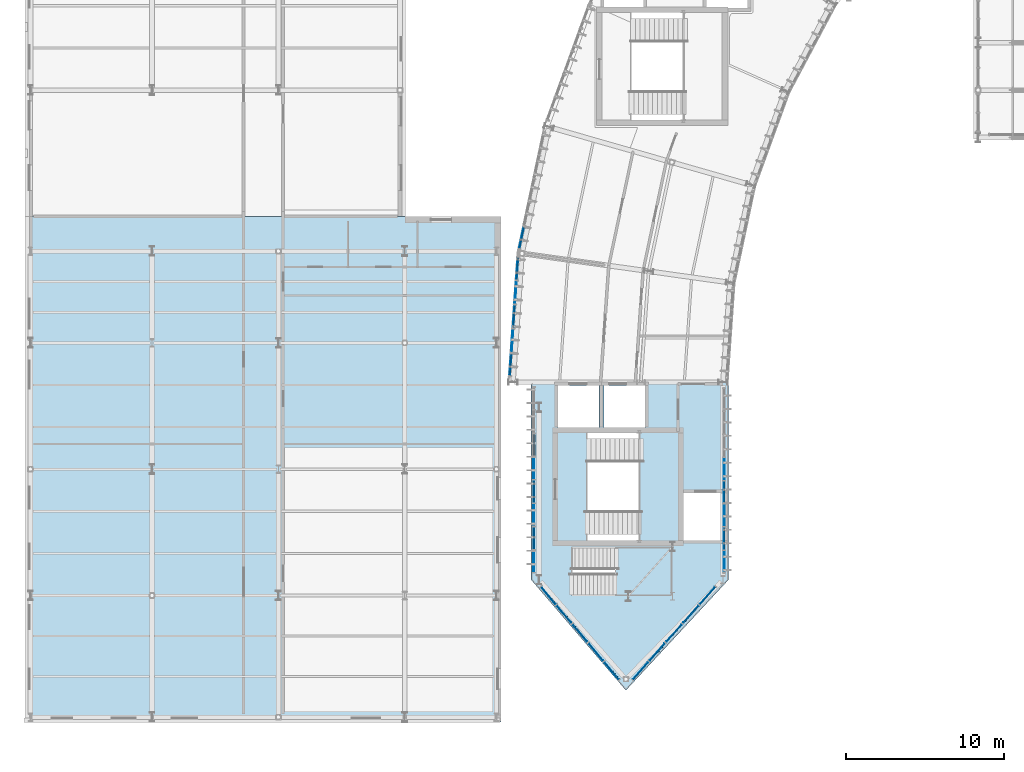
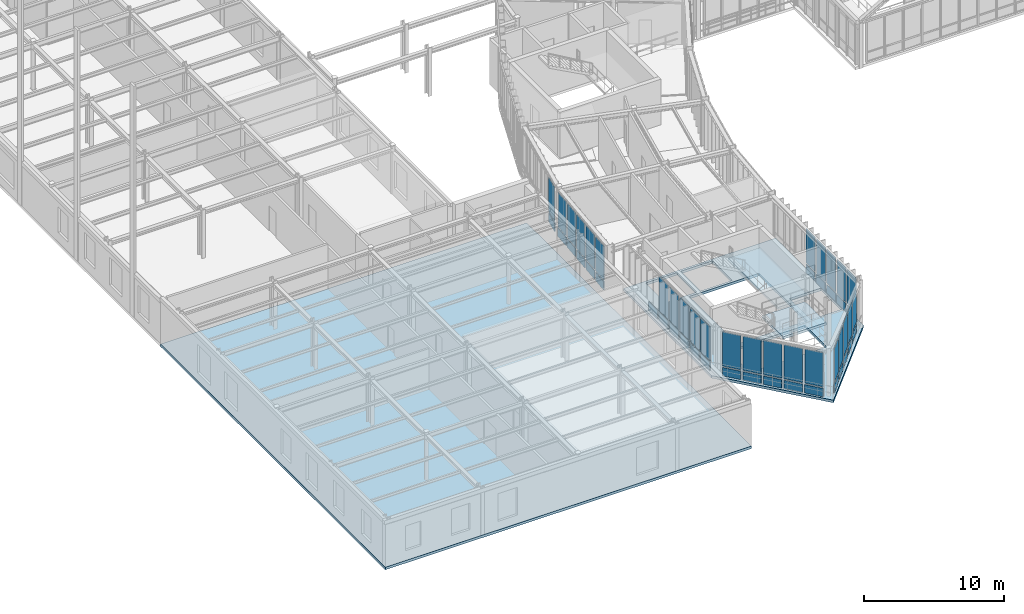
# One storey, part 93 of 148: 53 plates, 4 slabs, 8 elements without a shape of their own.
"""IFC4 building model written with IfcOpenShell, lengths in metres."""

from ifc_helpers import new_model, si_unit, direction, frame, origin, origin_2d, place, context, subcontext, project, spatial, polyline, rectangle, outline, extrude, material, layer, layer_set, type_object, element, aggregate, save


model = new_model("IFC4")

# Units and contexts
model_context = context("Model", 3, precision=1e-05, world=origin(), true_north=direction((0.0, 1.0)))
body_context = subcontext(model_context, "Body", "Model", "MODEL_VIEW")
ifc_project = project(units=[si_unit("LENGTHUNIT", "METRE"), si_unit("AREAUNIT", "SQUARE_METRE"), si_unit("VOLUMEUNIT", "CUBIC_METRE"), si_unit("PLANEANGLEUNIT", "RADIAN"), si_unit("MASSUNIT", "GRAM", prefix="KILO"), si_unit("THERMODYNAMICTEMPERATUREUNIT", "KELVIN"), si_unit("POWERUNIT", "WATT")], contexts=[model_context])

# Site, building, storey
site_placement = place(None, origin())
site = spatial("IfcSite", under=ifc_project, at=site_placement, CompositionType="ELEMENT")
building_placement = place(site_placement, origin())
building = spatial("IfcBuilding", under=site, at=building_placement, Name="Solvatero Civic Police Headquarters", CompositionType="ELEMENT")
storey_placement = place(building_placement, frame((0.0, 0.0, 5.10009765625)))
storey = spatial("IfcBuildingStorey", under=building, at=storey_placement, Name="L01", CompositionType="ELEMENT", Elevation=5.10009765625)

# Curtain wall, plates
ifc_material_1 = material(Name="Anodized Bronze Aluminium", Category="aluminium")
ifc_layer_1 = layer(ifc_material_1, 0.179931640625)
ifc_layer_set_1 = layer_set([ifc_layer_1], Name="Anodized Bronze Aluminium")
curtain_wall_type_1 = type_object("IfcCurtainWallType", Name="CW-ARC-OUT", PredefinedType="USERDEFINED", material=ifc_layer_set_1)
curtain_wall_1_placement = place(storey_placement, origin())
curtain_wall_1 = element("IfcCurtainWall", 1, at=curtain_wall_1_placement, inside=storey, type_object=curtain_wall_type_1, Name="Curtain Wall CW-R2-L01-ARC-OUT-B12", ObjectType="UNITISED", PredefinedType="USERDEFINED")
ifc_material_2 = material(Name="Triple Low-E Laminated Glass", Category="glass")
ifc_layer_2 = layer(ifc_material_2, 0.0380859375)
ifc_layer_set_2 = layer_set([ifc_layer_2], Name="Triple Low-E Laminated Glass")
plate_type_1 = type_object("IfcPlateType", Name="CWP-GLZ-38", PredefinedType="CURTAIN_PANEL", material=ifc_layer_set_2)
plate_1_placement = place(storey_placement, frame((35.517822265625, 31.6904296875, 0.91015625), z_axis=(0.0, 0.0, 1.0), x_axis=(-0.069756473744, -0.99756405026, 0.0)))
plate_1 = element("IfcPlate", 2, at=plate_1_placement, type_object=plate_type_1, Name="CW-R2-L01-ARC-OUT-B12 Vision Glazing 2", PredefinedType="CURTAIN_PANEL", context=body_context, shape_type="SweptSolid", body=[
    extrude(rectangle(XDim=1.34814453125, YDim=0.0380859375, at=origin_2d()), origin(), (0.0, 0.0, 1.0), 2.969970703125),
])
plate_2_placement = place(storey_placement, frame((35.3046875, 28.6416015625, 0.91015625), z_axis=(0.0, 0.0, 1.0), x_axis=(-0.069756473744, -0.99756405026, 0.0)))
plate_2 = element("IfcPlate", 3, at=plate_2_placement, type_object=plate_type_1, Name="CW-R2-L01-ARC-OUT-B12 Vision Glazing 4", PredefinedType="CURTAIN_PANEL", context=body_context, shape_type="SweptSolid", body=[
    extrude(rectangle(XDim=1.34814453125, YDim=0.0380859375, at=origin_2d()), origin(), (0.0, 0.0, 1.0), 2.969970703125),
])

ifc_layer_3 = layer(ifc_material_1, 0.179931640625)
ifc_layer_set_3 = layer_set([ifc_layer_3], Name="Anodized Bronze Aluminium")
curtain_wall_type_2 = type_object("IfcCurtainWallType", Name="CW-PROW-GLZ", PredefinedType="USERDEFINED", material=ifc_layer_set_3)
curtain_wall_2_placement = place(storey_placement, origin())
curtain_wall_2 = element("IfcCurtainWall", 4, at=curtain_wall_2_placement, inside=storey, type_object=curtain_wall_type_2, Name="Curtain Wall CW-R2-L01-PROW-W", ObjectType="UNITISED", PredefinedType="USERDEFINED")
plate_3_placement = place(storey_placement, frame((36.679931640625, 20.564453125, 0.91015625), z_axis=(0.0, 0.0, 1.0), x_axis=(0.0, -1.0, 0.0)))
plate_3 = element("IfcPlate", 5, at=plate_3_placement, type_object=plate_type_1, Name="CW-R2-L01-PROW-W Vision Glazing 4", PredefinedType="CURTAIN_PANEL", context=body_context, shape_type="SweptSolid", body=[
    extrude(rectangle(XDim=1.298828125, YDim=0.0380859375, at=origin_2d()), origin(), (0.0, 0.0, 1.0), 2.969970703125),
])
plate_4_placement = place(storey_placement, frame((36.679931640625, 17.60693359375, 0.91015625), z_axis=(0.0, 0.0, 1.0), x_axis=(0.0, -1.0, 0.0)))
plate_4 = element("IfcPlate", 6, at=plate_4_placement, type_object=plate_type_1, Name="CW-R2-L01-PROW-W Vision Glazing 6", PredefinedType="CURTAIN_PANEL", context=body_context, shape_type="SweptSolid", body=[
    extrude(rectangle(XDim=1.298828125, YDim=0.0380859375, at=origin_2d()), origin(), (0.0, 0.0, 1.0), 2.969970703125),
])
plate_5_placement = place(storey_placement, frame((36.679931640625, 14.6494140625, 0.91015625), z_axis=(0.0, 0.0, 1.0), x_axis=(0.0, -1.0, 0.0)))
plate_5 = element("IfcPlate", 7, at=plate_5_placement, type_object=plate_type_1, Name="CW-R2-L01-PROW-W Vision Glazing 8", PredefinedType="CURTAIN_PANEL", context=body_context, shape_type="SweptSolid", body=[
    extrude(rectangle(XDim=1.298828125, YDim=0.0380859375, at=origin_2d()), origin(), (0.0, 0.0, 1.0), 2.969970703125),
])

curtain_wall_3_placement = place(storey_placement, origin())
curtain_wall_3 = element("IfcCurtainWall", 8, at=curtain_wall_3_placement, inside=storey, type_object=curtain_wall_type_2, Name="Curtain Wall CW-R2-L01-PROW-E", ObjectType="UNITISED", PredefinedType="USERDEFINED")
plate_6_placement = place(storey_placement, frame((48.719970703125, 14.643798828125, 0.91015625), z_axis=(0.0, 0.0, 1.0), x_axis=(0.0, 1.0, 0.0)))
plate_6 = element("IfcPlate", 9, at=plate_6_placement, type_object=plate_type_1, Name="CW-R2-L01-PROW-E Vision Glazing 1", PredefinedType="CURTAIN_PANEL", context=body_context, shape_type="SweptSolid", body=[
    extrude(rectangle(XDim=1.28759765625, YDim=0.0380859375, at=origin_2d()), origin(), (0.0, 0.0, 1.0), 2.969970703125),
])
plate_7_placement = place(storey_placement, frame((48.719970703125, 17.57861328125, 0.91015625), z_axis=(0.0, 0.0, 1.0), x_axis=(0.0, 1.0, 0.0)))
plate_7 = element("IfcPlate", 10, at=plate_7_placement, type_object=plate_type_1, Name="CW-R2-L01-PROW-E Vision Glazing 3", PredefinedType="CURTAIN_PANEL", context=body_context, shape_type="SweptSolid", body=[
    extrude(rectangle(XDim=1.28759765625, YDim=0.0380859375, at=origin_2d()), origin(), (0.0, 0.0, 1.0), 2.969970703125),
])
plate_8_placement = place(storey_placement, frame((48.719970703125, 20.513671875, 0.91015625), z_axis=(0.0, 0.0, 1.0), x_axis=(0.0, 1.0, 0.0)))
plate_8 = element("IfcPlate", 11, at=plate_8_placement, type_object=plate_type_1, Name="CW-R2-L01-PROW-E Vision Glazing 5", PredefinedType="CURTAIN_PANEL", context=body_context, shape_type="SweptSolid", body=[
    extrude(rectangle(XDim=1.28759765625, YDim=0.0380859375, at=origin_2d()), origin(), (0.0, 0.0, 1.0), 2.969970703125),
])

curtain_wall_4_placement = place(storey_placement, origin())
curtain_wall_4 = element("IfcCurtainWall", 12, at=curtain_wall_4_placement, inside=storey, type_object=curtain_wall_type_2, Name="Curtain Wall CW-R2-L01-PROW-SW", ObjectType="UNITISED", PredefinedType="USERDEFINED")
plate_9_placement = place(storey_placement, frame((38.59375, 11.312744140625, 0.91015625), z_axis=(0.0, 0.0, 1.0), x_axis=(0.643282165541, -0.765629189293, 0.0)))
plate_9 = element("IfcPlate", 13, at=plate_9_placement, type_object=plate_type_1, Name="CW-R2-L01-PROW-SW Vision Glazing 2", PredefinedType="CURTAIN_PANEL", context=body_context, shape_type="SweptSolid", body=[
    extrude(rectangle(XDim=1.3798828125, YDim=0.0380859375, at=origin_2d()), origin(), (0.0, 0.0, 1.0), 2.969970703125),
])
plate_10_placement = place(storey_placement, frame((40.6005859375, 8.924072265625, 0.91015625), z_axis=(0.0, 0.0, 1.0), x_axis=(0.643282165541, -0.765629189293, 0.0)))
plate_10 = element("IfcPlate", 14, at=plate_10_placement, type_object=plate_type_1, Name="CW-R2-L01-PROW-SW Vision Glazing 4", PredefinedType="CURTAIN_PANEL", context=body_context, shape_type="SweptSolid", body=[
    extrude(rectangle(XDim=1.3798828125, YDim=0.0380859375, at=origin_2d()), origin(), (0.0, 0.0, 1.0), 2.969970703125),
])

curtain_wall_5_placement = place(storey_placement, origin())
curtain_wall_5 = element("IfcCurtainWall", 15, at=curtain_wall_5_placement, inside=storey, type_object=curtain_wall_type_2, Name="Curtain Wall CW-R2-L01-PROW-SE", ObjectType="UNITISED", PredefinedType="USERDEFINED")
plate_11_placement = place(storey_placement, frame((43.421875, 7.722900390625, 0.91015625), z_axis=(0.0, 0.0, 1.0), x_axis=(0.664656781592, 0.747148822313, 0.0)))
plate_11 = element("IfcPlate", 16, at=plate_11_placement, type_object=plate_type_1, Name="CW-R2-L01-PROW-SE Vision Glazing 1", PredefinedType="CURTAIN_PANEL", context=body_context, shape_type="SweptSolid", body=[
    extrude(rectangle(XDim=1.4208984375, YDim=0.0380859375, at=origin_2d()), origin(), (0.0, 0.0, 1.0), 2.969970703125),
])
plate_12_placement = place(storey_placement, frame((45.550048828125, 10.114990234375, 0.91015625), z_axis=(0.0, 0.0, 1.0), x_axis=(0.664656781592, 0.747148822313, 0.0)))
plate_12 = element("IfcPlate", 17, at=plate_12_placement, type_object=plate_type_1, Name="CW-R2-L01-PROW-SE Vision Glazing 3", PredefinedType="CURTAIN_PANEL", context=body_context, shape_type="SweptSolid", body=[
    extrude(rectangle(XDim=1.4208984375, YDim=0.0380859375, at=origin_2d()), origin(), (0.0, 0.0, 1.0), 2.969970703125),
])
plate_13_placement = place(storey_placement, frame((47.677978515625, 12.507080078125, 0.91015625), z_axis=(0.0, 0.0, 1.0), x_axis=(0.664656781592, 0.747148822313, 0.0)))
plate_13 = element("IfcPlate", 18, at=plate_13_placement, type_object=plate_type_1, Name="CW-R2-L01-PROW-SE Vision Glazing 5", PredefinedType="CURTAIN_PANEL", context=body_context, shape_type="SweptSolid", body=[
    extrude(rectangle(XDim=1.4208984375, YDim=0.0380859375, at=origin_2d()), origin(), (0.0, 0.0, 1.0), 2.969970703125),
])

# Curtain wall, plate
curtain_wall_6_placement = place(storey_placement, origin())
curtain_wall_6 = element("IfcCurtainWall", 19, at=curtain_wall_6_placement, inside=storey, type_object=curtain_wall_type_1, Name="Curtain Wall CW-R2-L01-ARC-OUT-B11", ObjectType="UNITISED", PredefinedType="USERDEFINED")
ifc_material_3 = material(Name="Acoustic Ballistic Laminated Glass", Category="glass")
ifc_layer_4 = layer(ifc_material_3, 0.0439453125)
ifc_layer_set_4 = layer_set([ifc_layer_4], Name="Acoustic Ballistic Laminated Glass")
plate_type_2 = type_object("IfcPlateType", Name="CWP-GLZ-44", PredefinedType="CURTAIN_PANEL", material=ifc_layer_set_4)
plate_14_placement = place(storey_placement, frame((35.89697265625, 35.154052734375, 0.91015625), z_axis=(0.0, 0.0, 1.0), x_axis=(-0.207911690818, -0.978147600734, 0.0)))
plate_14 = element("IfcPlate", 20, at=plate_14_placement, type_object=plate_type_2, Name="CW-R2-L01-ARC-OUT-B11 Vision Glazing 5", PredefinedType="CURTAIN_PANEL", context=body_context, shape_type="SweptSolid", body=[
    extrude(rectangle(XDim=1.34619140625, YDim=0.0439453125, at=origin_2d()), origin(), (0.0, 0.0, 1.0), 2.969970703125),
])

# Plate
plate_15_placement = place(storey_placement, frame((35.62451171875, 33.21484375, 0.91015625), z_axis=(0.0, 0.0, 1.0), x_axis=(-0.069756473744, -0.99756405026, 0.0)))
plate_15 = element("IfcPlate", 21, at=plate_15_placement, type_object=plate_type_2, Name="CW-R2-L01-ARC-OUT-B12 Vision Glazing 1", PredefinedType="CURTAIN_PANEL", context=body_context, shape_type="SweptSolid", body=[
    extrude(rectangle(XDim=1.34814453125, YDim=0.0439453125, at=origin_2d()), origin(), (0.0, 0.0, 1.0), 2.969970703125),
])

plate_16_placement = place(storey_placement, frame((35.411376953125, 30.166015625, 0.91015625), z_axis=(0.0, 0.0, 1.0), x_axis=(-0.069756473744, -0.99756405026, 0.0)))
plate_16 = element("IfcPlate", 22, at=plate_16_placement, type_object=plate_type_2, Name="CW-R2-L01-ARC-OUT-B12 Vision Glazing 3", PredefinedType="CURTAIN_PANEL", context=body_context, shape_type="SweptSolid", body=[
    extrude(rectangle(XDim=1.34814453125, YDim=0.0439453125, at=origin_2d()), origin(), (0.0, 0.0, 1.0), 2.969970703125),
])

plate_17_placement = place(storey_placement, frame((35.197998046875, 27.1171875, 0.91015625), z_axis=(0.0, 0.0, 1.0), x_axis=(-0.069756473744, -0.99756405026, 0.0)))
plate_17 = element("IfcPlate", 23, at=plate_17_placement, type_object=plate_type_2, Name="CW-R2-L01-ARC-OUT-B12 Vision Glazing 5", PredefinedType="CURTAIN_PANEL", context=body_context, shape_type="SweptSolid", body=[
    extrude(rectangle(XDim=1.34814453125, YDim=0.0439453125, at=origin_2d()), origin(), (0.0, 0.0, 1.0), 2.969970703125),
])

plate_18_placement = place(storey_placement, frame((36.679931640625, 19.085693359375, 0.91015625), z_axis=(0.0, 0.0, 1.0), x_axis=(0.0, -1.0, 0.0)))
plate_18 = element("IfcPlate", 24, at=plate_18_placement, type_object=plate_type_2, Name="CW-R2-L01-PROW-W Vision Glazing 5", PredefinedType="CURTAIN_PANEL", context=body_context, shape_type="SweptSolid", body=[
    extrude(rectangle(XDim=1.298828125, YDim=0.0439453125, at=origin_2d()), origin(), (0.0, 0.0, 1.0), 2.969970703125),
])

plate_19_placement = place(storey_placement, frame((36.679931640625, 16.128173828125, 0.91015625), z_axis=(0.0, 0.0, 1.0), x_axis=(0.0, -1.0, 0.0)))
plate_19 = element("IfcPlate", 25, at=plate_19_placement, type_object=plate_type_2, Name="CW-R2-L01-PROW-W Vision Glazing 7", PredefinedType="CURTAIN_PANEL", context=body_context, shape_type="SweptSolid", body=[
    extrude(rectangle(XDim=1.298828125, YDim=0.0439453125, at=origin_2d()), origin(), (0.0, 0.0, 1.0), 2.969970703125),
])

plate_20_placement = place(storey_placement, frame((48.719970703125, 16.111083984375, 0.91015625), z_axis=(0.0, 0.0, 1.0), x_axis=(0.0, 1.0, 0.0)))
plate_20 = element("IfcPlate", 26, at=plate_20_placement, type_object=plate_type_2, Name="CW-R2-L01-PROW-E Vision Glazing 2", PredefinedType="CURTAIN_PANEL", context=body_context, shape_type="SweptSolid", body=[
    extrude(rectangle(XDim=1.28759765625, YDim=0.0439453125, at=origin_2d()), origin(), (0.0, 0.0, 1.0), 2.969970703125),
])

plate_21_placement = place(storey_placement, frame((48.719970703125, 19.04638671875, 0.91015625), z_axis=(0.0, 0.0, 1.0), x_axis=(0.0, 1.0, 0.0)))
plate_21 = element("IfcPlate", 27, at=plate_21_placement, type_object=plate_type_2, Name="CW-R2-L01-PROW-E Vision Glazing 4", PredefinedType="CURTAIN_PANEL", context=body_context, shape_type="SweptSolid", body=[
    extrude(rectangle(XDim=1.28759765625, YDim=0.0439453125, at=origin_2d()), origin(), (0.0, 0.0, 1.0), 2.969970703125),
])

plate_22_placement = place(storey_placement, frame((37.59033203125, 12.507080078125, 0.91015625), z_axis=(0.0, 0.0, 1.0), x_axis=(0.643282165541, -0.765629189293, 0.0)))
plate_22 = element("IfcPlate", 28, at=plate_22_placement, type_object=plate_type_2, Name="CW-R2-L01-PROW-SW Vision Glazing 1", PredefinedType="CURTAIN_PANEL", context=body_context, shape_type="SweptSolid", body=[
    extrude(rectangle(XDim=1.3798828125, YDim=0.0439453125, at=origin_2d()), origin(), (0.0, 0.0, 1.0), 2.969970703125),
])

plate_23_placement = place(storey_placement, frame((39.59716796875, 10.118408203125, 0.91015625), z_axis=(0.0, 0.0, 1.0), x_axis=(0.643282165541, -0.765629189293, 0.0)))
plate_23 = element("IfcPlate", 29, at=plate_23_placement, type_object=plate_type_2, Name="CW-R2-L01-PROW-SW Vision Glazing 3", PredefinedType="CURTAIN_PANEL", context=body_context, shape_type="SweptSolid", body=[
    extrude(rectangle(XDim=1.3798828125, YDim=0.0439453125, at=origin_2d()), origin(), (0.0, 0.0, 1.0), 2.969970703125),
])

plate_24_placement = place(storey_placement, frame((41.60400390625, 7.729736328125, 0.91015625), z_axis=(0.0, 0.0, 1.0), x_axis=(0.643282165541, -0.765629189293, 0.0)))
plate_24 = element("IfcPlate", 30, at=plate_24_placement, type_object=plate_type_2, Name="CW-R2-L01-PROW-SW Vision Glazing 5", PredefinedType="CURTAIN_PANEL", context=body_context, shape_type="SweptSolid", body=[
    extrude(rectangle(XDim=1.3798828125, YDim=0.0439453125, at=origin_2d()), origin(), (0.0, 0.0, 1.0), 2.969970703125),
])

plate_25_placement = place(storey_placement, frame((44.486083984375, 8.9189453125, 0.91015625), z_axis=(0.0, 0.0, 1.0), x_axis=(0.664656781592, 0.747148822313, 0.0)))
plate_25 = element("IfcPlate", 31, at=plate_25_placement, type_object=plate_type_2, Name="CW-R2-L01-PROW-SE Vision Glazing 2", PredefinedType="CURTAIN_PANEL", context=body_context, shape_type="SweptSolid", body=[
    extrude(rectangle(XDim=1.4208984375, YDim=0.0439453125, at=origin_2d()), origin(), (0.0, 0.0, 1.0), 2.969970703125),
])

plate_26_placement = place(storey_placement, frame((46.614013671875, 11.31103515625, 0.91015625), z_axis=(0.0, 0.0, 1.0), x_axis=(0.664656781592, 0.747148822313, 0.0)))
plate_26 = element("IfcPlate", 32, at=plate_26_placement, type_object=plate_type_2, Name="CW-R2-L01-PROW-SE Vision Glazing 4", PredefinedType="CURTAIN_PANEL", context=body_context, shape_type="SweptSolid", body=[
    extrude(rectangle(XDim=1.4208984375, YDim=0.0439453125, at=origin_2d()), origin(), (0.0, 0.0, 1.0), 2.969970703125),
])

ifc_material_4 = material(Name="Insulated Bronze Aluminium Spandrel", Category="aluminium")
ifc_layer_5 = layer(ifc_material_4, 0.06005859375)
ifc_layer_set_5 = layer_set([ifc_layer_5], Name="Insulated Bronze Aluminium Spandrel")
plate_type_3 = type_object("IfcPlateType", Name="CWP-SPN-60", PredefinedType="CURTAIN_PANEL", material=ifc_layer_set_5)
plate_27_placement = place(storey_placement, frame((35.517822265625, 31.6904296875, 0.059814453125), z_axis=(0.0, 0.0, 1.0), x_axis=(-0.069756473744, -0.99756405026, 0.0)))
plate_27 = element("IfcPlate", 33, at=plate_27_placement, type_object=plate_type_3, Name="CW-R2-L01-ARC-OUT-B12 Spandrel Panel 2", PredefinedType="CURTAIN_PANEL", context=body_context, shape_type="SweptSolid", body=[
    extrude(rectangle(XDim=1.34814453125, YDim=0.06005859375, at=origin_2d()), origin(), (0.0, 0.0, 1.0), 0.72998046875),
])

plate_28_placement = place(storey_placement, frame((35.3046875, 28.6416015625, 0.059814453125), z_axis=(0.0, 0.0, 1.0), x_axis=(-0.069756473744, -0.99756405026, 0.0)))
plate_28 = element("IfcPlate", 34, at=plate_28_placement, type_object=plate_type_3, Name="CW-R2-L01-ARC-OUT-B12 Spandrel Panel 4", PredefinedType="CURTAIN_PANEL", context=body_context, shape_type="SweptSolid", body=[
    extrude(rectangle(XDim=1.34814453125, YDim=0.06005859375, at=origin_2d()), origin(), (0.0, 0.0, 1.0), 0.72998046875),
])

plate_29_placement = place(storey_placement, frame((36.679931640625, 20.564453125, 0.059814453125), z_axis=(0.0, 0.0, 1.0), x_axis=(0.0, -1.0, 0.0)))
plate_29 = element("IfcPlate", 35, at=plate_29_placement, type_object=plate_type_3, Name="CW-R2-L01-PROW-W Spandrel Panel 4", PredefinedType="CURTAIN_PANEL", context=body_context, shape_type="SweptSolid", body=[
    extrude(rectangle(XDim=1.298828125, YDim=0.06005859375, at=origin_2d()), origin(), (0.0, 0.0, 1.0), 0.72998046875),
])

plate_30_placement = place(storey_placement, frame((36.679931640625, 17.60693359375, 0.059814453125), z_axis=(0.0, 0.0, 1.0), x_axis=(0.0, -1.0, 0.0)))
plate_30 = element("IfcPlate", 36, at=plate_30_placement, type_object=plate_type_3, Name="CW-R2-L01-PROW-W Spandrel Panel 6", PredefinedType="CURTAIN_PANEL", context=body_context, shape_type="SweptSolid", body=[
    extrude(rectangle(XDim=1.298828125, YDim=0.06005859375, at=origin_2d()), origin(), (0.0, 0.0, 1.0), 0.72998046875),
])

plate_31_placement = place(storey_placement, frame((36.679931640625, 14.6494140625, 0.059814453125), z_axis=(0.0, 0.0, 1.0), x_axis=(0.0, -1.0, 0.0)))
plate_31 = element("IfcPlate", 37, at=plate_31_placement, type_object=plate_type_3, Name="CW-R2-L01-PROW-W Spandrel Panel 8", PredefinedType="CURTAIN_PANEL", context=body_context, shape_type="SweptSolid", body=[
    extrude(rectangle(XDim=1.298828125, YDim=0.06005859375, at=origin_2d()), origin(), (0.0, 0.0, 1.0), 0.72998046875),
])

plate_32_placement = place(storey_placement, frame((48.719970703125, 14.643798828125, 0.059814453125), z_axis=(0.0, 0.0, 1.0), x_axis=(0.0, 1.0, 0.0)))
plate_32 = element("IfcPlate", 38, at=plate_32_placement, type_object=plate_type_3, Name="CW-R2-L01-PROW-E Spandrel Panel 1", PredefinedType="CURTAIN_PANEL", context=body_context, shape_type="SweptSolid", body=[
    extrude(rectangle(XDim=1.28759765625, YDim=0.06005859375, at=origin_2d()), origin(), (0.0, 0.0, 1.0), 0.72998046875),
])

plate_33_placement = place(storey_placement, frame((48.719970703125, 17.57861328125, 0.059814453125), z_axis=(0.0, 0.0, 1.0), x_axis=(0.0, 1.0, 0.0)))
plate_33 = element("IfcPlate", 39, at=plate_33_placement, type_object=plate_type_3, Name="CW-R2-L01-PROW-E Spandrel Panel 3", PredefinedType="CURTAIN_PANEL", context=body_context, shape_type="SweptSolid", body=[
    extrude(rectangle(XDim=1.28759765625, YDim=0.06005859375, at=origin_2d()), origin(), (0.0, 0.0, 1.0), 0.72998046875),
])

plate_34_placement = place(storey_placement, frame((48.719970703125, 20.513671875, 0.059814453125), z_axis=(0.0, 0.0, 1.0), x_axis=(0.0, 1.0, 0.0)))
plate_34 = element("IfcPlate", 40, at=plate_34_placement, type_object=plate_type_3, Name="CW-R2-L01-PROW-E Spandrel Panel 5", PredefinedType="CURTAIN_PANEL", context=body_context, shape_type="SweptSolid", body=[
    extrude(rectangle(XDim=1.28759765625, YDim=0.06005859375, at=origin_2d()), origin(), (0.0, 0.0, 1.0), 0.72998046875),
])

plate_35_placement = place(storey_placement, frame((38.59375, 11.312744140625, 0.059814453125), z_axis=(0.0, 0.0, 1.0), x_axis=(0.643282165541, -0.765629189293, 0.0)))
plate_35 = element("IfcPlate", 41, at=plate_35_placement, type_object=plate_type_3, Name="CW-R2-L01-PROW-SW Spandrel Panel 2", PredefinedType="CURTAIN_PANEL", context=body_context, shape_type="SweptSolid", body=[
    extrude(rectangle(XDim=1.3798828125, YDim=0.06005859375, at=origin_2d()), origin(), (0.0, 0.0, 1.0), 0.72998046875),
])

plate_36_placement = place(storey_placement, frame((40.6005859375, 8.924072265625, 0.059814453125), z_axis=(0.0, 0.0, 1.0), x_axis=(0.643282165541, -0.765629189293, 0.0)))
plate_36 = element("IfcPlate", 42, at=plate_36_placement, type_object=plate_type_3, Name="CW-R2-L01-PROW-SW Spandrel Panel 4", PredefinedType="CURTAIN_PANEL", context=body_context, shape_type="SweptSolid", body=[
    extrude(rectangle(XDim=1.3798828125, YDim=0.06005859375, at=origin_2d()), origin(), (0.0, 0.0, 1.0), 0.72998046875),
])

plate_37_placement = place(storey_placement, frame((43.421875, 7.722900390625, 0.059814453125), z_axis=(0.0, 0.0, 1.0), x_axis=(0.664656781592, 0.747148822313, 0.0)))
plate_37 = element("IfcPlate", 43, at=plate_37_placement, type_object=plate_type_3, Name="CW-R2-L01-PROW-SE Spandrel Panel 1", PredefinedType="CURTAIN_PANEL", context=body_context, shape_type="SweptSolid", body=[
    extrude(rectangle(XDim=1.4208984375, YDim=0.06005859375, at=origin_2d()), origin(), (0.0, 0.0, 1.0), 0.72998046875),
])

plate_38_placement = place(storey_placement, frame((45.550048828125, 10.114990234375, 0.059814453125), z_axis=(0.0, 0.0, 1.0), x_axis=(0.664656781592, 0.747148822313, 0.0)))
plate_38 = element("IfcPlate", 44, at=plate_38_placement, type_object=plate_type_3, Name="CW-R2-L01-PROW-SE Spandrel Panel 3", PredefinedType="CURTAIN_PANEL", context=body_context, shape_type="SweptSolid", body=[
    extrude(rectangle(XDim=1.4208984375, YDim=0.06005859375, at=origin_2d()), origin(), (0.0, 0.0, 1.0), 0.72998046875),
])

plate_39_placement = place(storey_placement, frame((47.677978515625, 12.507080078125, 0.059814453125), z_axis=(0.0, 0.0, 1.0), x_axis=(0.664656781592, 0.747148822313, 0.0)))
plate_39 = element("IfcPlate", 45, at=plate_39_placement, type_object=plate_type_3, Name="CW-R2-L01-PROW-SE Spandrel Panel 5", PredefinedType="CURTAIN_PANEL", context=body_context, shape_type="SweptSolid", body=[
    extrude(rectangle(XDim=1.4208984375, YDim=0.06005859375, at=origin_2d()), origin(), (0.0, 0.0, 1.0), 0.72998046875),
])

ifc_material_5 = material(Name="Limestone Veneer Spandrel Panel", Category="masonry")
ifc_layer_6 = layer(ifc_material_5, 0.074951171875)
ifc_layer_set_6 = layer_set([ifc_layer_6], Name="Limestone Veneer Spandrel Panel")
plate_type_4 = type_object("IfcPlateType", Name="CWP-SPN-75", PredefinedType="CURTAIN_PANEL", material=ifc_layer_set_6)
plate_40_placement = place(storey_placement, frame((35.89697265625, 35.154052734375, 0.059814453125), z_axis=(0.0, 0.0, 1.0), x_axis=(-0.207911690818, -0.978147600734, 0.0)))
plate_40 = element("IfcPlate", 46, at=plate_40_placement, type_object=plate_type_4, Name="CW-R2-L01-ARC-OUT-B11 Spandrel Panel 5", PredefinedType="CURTAIN_PANEL", context=body_context, shape_type="SweptSolid", body=[
    extrude(rectangle(XDim=1.34619140625, YDim=0.074951171875, at=origin_2d()), origin(), (0.0, 0.0, 1.0), 0.72998046875),
])

aggregate(curtain_wall_6, [plate_40, plate_14])

plate_41_placement = place(storey_placement, frame((35.62451171875, 33.21484375, 0.059814453125), z_axis=(0.0, 0.0, 1.0), x_axis=(-0.069756473744, -0.99756405026, 0.0)))
plate_41 = element("IfcPlate", 47, at=plate_41_placement, type_object=plate_type_4, Name="CW-R2-L01-ARC-OUT-B12 Spandrel Panel 1", PredefinedType="CURTAIN_PANEL", context=body_context, shape_type="SweptSolid", body=[
    extrude(rectangle(XDim=1.34814453125, YDim=0.074951171875, at=origin_2d()), origin(), (0.0, 0.0, 1.0), 0.72998046875),
])

plate_42_placement = place(storey_placement, frame((35.411376953125, 30.166015625, 0.059814453125), z_axis=(0.0, 0.0, 1.0), x_axis=(-0.069756473744, -0.99756405026, 0.0)))
plate_42 = element("IfcPlate", 48, at=plate_42_placement, type_object=plate_type_4, Name="CW-R2-L01-ARC-OUT-B12 Spandrel Panel 3", PredefinedType="CURTAIN_PANEL", context=body_context, shape_type="SweptSolid", body=[
    extrude(rectangle(XDim=1.34814453125, YDim=0.074951171875, at=origin_2d()), origin(), (0.0, 0.0, 1.0), 0.72998046875),
])

plate_43_placement = place(storey_placement, frame((35.197998046875, 27.1171875, 0.059814453125), z_axis=(0.0, 0.0, 1.0), x_axis=(-0.069756473744, -0.99756405026, 0.0)))
plate_43 = element("IfcPlate", 49, at=plate_43_placement, type_object=plate_type_4, Name="CW-R2-L01-ARC-OUT-B12 Spandrel Panel 5", PredefinedType="CURTAIN_PANEL", context=body_context, shape_type="SweptSolid", body=[
    extrude(rectangle(XDim=1.34814453125, YDim=0.074951171875, at=origin_2d()), origin(), (0.0, 0.0, 1.0), 0.72998046875),
])

aggregate(curtain_wall_1, [plate_41, plate_15, plate_27, plate_1, plate_42, plate_16, plate_28, plate_2, plate_43, plate_17])

plate_44_placement = place(storey_placement, frame((36.679931640625, 22.043212890625, 0.059814453125), z_axis=(0.0, 0.0, 1.0), x_axis=(0.0, -1.0, 0.0)))
plate_44 = element("IfcPlate", 50, at=plate_44_placement, type_object=plate_type_4, Name="CW-R2-L01-PROW-W Spandrel Panel 3", PredefinedType="CURTAIN_PANEL", context=body_context, shape_type="SweptSolid", body=[
    extrude(rectangle(XDim=1.298828125, YDim=0.074951171875, at=origin_2d()), origin(), (0.0, 0.0, 1.0), 0.72998046875),
])

plate_45_placement = place(storey_placement, frame((36.679931640625, 19.085693359375, 0.059814453125), z_axis=(0.0, 0.0, 1.0), x_axis=(0.0, -1.0, 0.0)))
plate_45 = element("IfcPlate", 51, at=plate_45_placement, type_object=plate_type_4, Name="CW-R2-L01-PROW-W Spandrel Panel 5", PredefinedType="CURTAIN_PANEL", context=body_context, shape_type="SweptSolid", body=[
    extrude(rectangle(XDim=1.298828125, YDim=0.074951171875, at=origin_2d()), origin(), (0.0, 0.0, 1.0), 0.72998046875),
])

plate_46_placement = place(storey_placement, frame((36.679931640625, 16.128173828125, 0.059814453125), z_axis=(0.0, 0.0, 1.0), x_axis=(0.0, -1.0, 0.0)))
plate_46 = element("IfcPlate", 52, at=plate_46_placement, type_object=plate_type_4, Name="CW-R2-L01-PROW-W Spandrel Panel 7", PredefinedType="CURTAIN_PANEL", context=body_context, shape_type="SweptSolid", body=[
    extrude(rectangle(XDim=1.298828125, YDim=0.074951171875, at=origin_2d()), origin(), (0.0, 0.0, 1.0), 0.72998046875),
])

aggregate(curtain_wall_2, [plate_44, plate_29, plate_3, plate_45, plate_18, plate_30, plate_4, plate_46, plate_19, plate_31, plate_5])

plate_47_placement = place(storey_placement, frame((48.719970703125, 16.111083984375, 0.059814453125), z_axis=(0.0, 0.0, 1.0), x_axis=(0.0, 1.0, 0.0)))
plate_47 = element("IfcPlate", 53, at=plate_47_placement, type_object=plate_type_4, Name="CW-R2-L01-PROW-E Spandrel Panel 2", PredefinedType="CURTAIN_PANEL", context=body_context, shape_type="SweptSolid", body=[
    extrude(rectangle(XDim=1.28759765625, YDim=0.074951171875, at=origin_2d()), origin(), (0.0, 0.0, 1.0), 0.72998046875),
])

plate_48_placement = place(storey_placement, frame((48.719970703125, 19.04638671875, 0.059814453125), z_axis=(0.0, 0.0, 1.0), x_axis=(0.0, 1.0, 0.0)))
plate_48 = element("IfcPlate", 54, at=plate_48_placement, type_object=plate_type_4, Name="CW-R2-L01-PROW-E Spandrel Panel 4", PredefinedType="CURTAIN_PANEL", context=body_context, shape_type="SweptSolid", body=[
    extrude(rectangle(XDim=1.28759765625, YDim=0.074951171875, at=origin_2d()), origin(), (0.0, 0.0, 1.0), 0.72998046875),
])

aggregate(curtain_wall_3, [plate_32, plate_6, plate_47, plate_20, plate_33, plate_7, plate_48, plate_21, plate_34, plate_8])

plate_49_placement = place(storey_placement, frame((37.59033203125, 12.507080078125, 0.059814453125), z_axis=(0.0, 0.0, 1.0), x_axis=(0.643282165541, -0.765629189293, 0.0)))
plate_49 = element("IfcPlate", 55, at=plate_49_placement, type_object=plate_type_4, Name="CW-R2-L01-PROW-SW Spandrel Panel 1", PredefinedType="CURTAIN_PANEL", context=body_context, shape_type="SweptSolid", body=[
    extrude(rectangle(XDim=1.3798828125, YDim=0.074951171875, at=origin_2d()), origin(), (0.0, 0.0, 1.0), 0.72998046875),
])

plate_50_placement = place(storey_placement, frame((39.59716796875, 10.118408203125, 0.059814453125), z_axis=(0.0, 0.0, 1.0), x_axis=(0.643282165541, -0.765629189293, 0.0)))
plate_50 = element("IfcPlate", 56, at=plate_50_placement, type_object=plate_type_4, Name="CW-R2-L01-PROW-SW Spandrel Panel 3", PredefinedType="CURTAIN_PANEL", context=body_context, shape_type="SweptSolid", body=[
    extrude(rectangle(XDim=1.3798828125, YDim=0.074951171875, at=origin_2d()), origin(), (0.0, 0.0, 1.0), 0.72998046875),
])

plate_51_placement = place(storey_placement, frame((41.60400390625, 7.729736328125, 0.059814453125), z_axis=(0.0, 0.0, 1.0), x_axis=(0.643282165541, -0.765629189293, 0.0)))
plate_51 = element("IfcPlate", 57, at=plate_51_placement, type_object=plate_type_4, Name="CW-R2-L01-PROW-SW Spandrel Panel 5", PredefinedType="CURTAIN_PANEL", context=body_context, shape_type="SweptSolid", body=[
    extrude(rectangle(XDim=1.3798828125, YDim=0.074951171875, at=origin_2d()), origin(), (0.0, 0.0, 1.0), 0.72998046875),
])

aggregate(curtain_wall_4, [plate_49, plate_22, plate_35, plate_9, plate_50, plate_23, plate_36, plate_10, plate_51, plate_24])

plate_52_placement = place(storey_placement, frame((44.486083984375, 8.9189453125, 0.059814453125), z_axis=(0.0, 0.0, 1.0), x_axis=(0.664656781592, 0.747148822313, 0.0)))
plate_52 = element("IfcPlate", 58, at=plate_52_placement, type_object=plate_type_4, Name="CW-R2-L01-PROW-SE Spandrel Panel 2", PredefinedType="CURTAIN_PANEL", context=body_context, shape_type="SweptSolid", body=[
    extrude(rectangle(XDim=1.4208984375, YDim=0.074951171875, at=origin_2d()), origin(), (0.0, 0.0, 1.0), 0.72998046875),
])

plate_53_placement = place(storey_placement, frame((46.614013671875, 11.31103515625, 0.059814453125), z_axis=(0.0, 0.0, 1.0), x_axis=(0.664656781592, 0.747148822313, 0.0)))
plate_53 = element("IfcPlate", 59, at=plate_53_placement, type_object=plate_type_4, Name="CW-R2-L01-PROW-SE Spandrel Panel 4", PredefinedType="CURTAIN_PANEL", context=body_context, shape_type="SweptSolid", body=[
    extrude(rectangle(XDim=1.4208984375, YDim=0.074951171875, at=origin_2d()), origin(), (0.0, 0.0, 1.0), 0.72998046875),
])

aggregate(curtain_wall_5, [plate_37, plate_11, plate_52, plate_25, plate_38, plate_12, plate_53, plate_26, plate_39, plate_13])

# Slabs
ifc_material_6 = material(Name="Concrete C35/45", Category="concrete")
ifc_layer_7 = layer(ifc_material_6, 0.199951171875)
ifc_layer_set_7 = layer_set([ifc_layer_7], Name="Concrete C35/45")
slab_type_1 = type_object("IfcSlabType", Name="SLB-COMP-200", PredefinedType="FLOOR", material=ifc_layer_set_7)
slab_1_placement = place(storey_placement, frame((0.0, 0.0, -0.22021484375)))
element("IfcSlab", 60, at=slab_1_placement, inside=storey, type_object=slab_type_1, Name="L01 South-West Prow Floor Slab", PredefinedType="FLOOR", context=body_context, shape_type="SweptSolid", body=[
    extrude(outline(polyline([(49.0, 13.5), (42.5, 6.5), (36.5, 13.5), (36.5, 26.0), (49.0, 26.0), (49.0, 13.5)]), holes=[polyline([(39.10009765625, 12.5), (45.39990234375, 12.5), (45.39990234375, 15.550048828125), (39.10009765625, 15.550048828125), (39.10009765625, 12.5)]), polyline([(46.10009765625, 16.0), (48.699951171875, 16.0), (48.699951171875, 19.0), (46.10009765625, 19.0), (46.10009765625, 16.0)]), polyline([(40.06005859375, 16.0), (45.800048828125, 16.0), (45.800048828125, 22.800048828125), (40.06005859375, 22.800048828125), (40.06005859375, 16.0)]), polyline([(38.199951171875, 25.800048828125), (38.199951171875, 23.0), (40.800048828125, 23.0), (40.800048828125, 25.800048828125), (38.199951171875, 25.800048828125)]), polyline([(41.10009765625, 25.800048828125), (41.10009765625, 23.0), (43.699951171875, 23.0), (43.699951171875, 25.800048828125), (41.10009765625, 25.800048828125)])]), origin(), (0.0, 0.0, 1.0), 0.22021484375),
])
ifc_layer_8 = layer(ifc_material_6, 0.219970703125)
ifc_layer_set_8 = layer_set([ifc_layer_8], Name="Concrete C35/45")
slab_type_2 = type_object("IfcSlabType", Name="SLB-COMP-220", PredefinedType="FLOOR", material=ifc_layer_set_8)
slab_2_placement = place(storey_placement, frame((0.0, 0.0, -0.22021484375)))
element("IfcSlab", 61, at=slab_2_placement, inside=storey, type_object=slab_type_2, Name="L01 Suspended floor slab SLB-L01-V4", PredefinedType="FLOOR", context=body_context, shape_type="SweptSolid", body=[
    extrude(outline(polyline([(4.5, 36.5), (34.60009765625, 36.5), (34.60009765625, 4.5), (4.5, 4.5), (4.5, 36.5)])), origin(), (0.0, 0.0, 1.0), 0.22021484375),
])

# Stair, slab
ifc_material_7 = material(Name="Precast concrete C40/50", Category="concrete")
stair_type_1 = type_object("IfcStairType", Name="STR-C150-420", PredefinedType="HALF_TURN_STAIR", material=ifc_material_7)
stair_1_placement = place(storey_placement, origin())
stair_1 = element("IfcStair", 62, at=stair_1_placement, inside=storey, type_object=stair_type_1, Name="Protected Exit Stair ST-C1 (L01 to L02)", PredefinedType="HALF_TURN_STAIR")
ifc_layer_9 = layer(ifc_material_7, 0.199951171875)
ifc_layer_set_9 = layer_set([ifc_layer_9], Name="Precast concrete C40/50")
slab_type_3 = type_object("IfcSlabType", Name="SLB-LND-200", PredefinedType="LANDING", material=ifc_layer_set_9)
slab_3_placement = place(storey_placement, frame((0.0, 0.0, 1.89990234375)))
slab_3 = element("IfcSlab", 63, at=slab_3_placement, type_object=slab_type_3, Name="ST-C1 L01 Half-Landing", PredefinedType="LANDING", context=body_context, shape_type="SweptSolid", body=[
    extrude(outline(polyline([(43.340087890625, 15.85009765625), (45.949951171875, 15.85009765625), (45.949951171875, 22.949951171875), (43.340087890625, 22.949951171875), (43.340087890625, 15.85009765625)])), origin(), (0.0, 0.0, 1.0), 0.199951171875),
])
aggregate(stair_1, [slab_3])

stair_type_2 = type_object("IfcStairType", Name="STR-PRW-420", PredefinedType="HALF_TURN_STAIR", material=ifc_material_7)
stair_2_placement = place(storey_placement, origin())
stair_2 = element("IfcStair", 64, at=stair_2_placement, inside=storey, type_object=stair_type_2, Name="Glazed Prow Ceremonial Stair (L01 to L02)", PredefinedType="HALF_TURN_STAIR")
ifc_layer_10 = layer(ifc_material_7, 0.215087890625)
ifc_layer_set_10 = layer_set([ifc_layer_10], Name="Precast concrete C40/50")
slab_type_4 = type_object("IfcSlabType", Name="SLB-LND-215", PredefinedType="LANDING", material=ifc_layer_set_10)
slab_4_placement = place(storey_placement, frame((0.0, 0.0, 1.885009765625)))
slab_4 = element("IfcSlab", 65, at=slab_4_placement, type_object=slab_type_4, Name="ST-PRW L01 Glazed Prow Half-Landing", PredefinedType="LANDING", context=body_context, shape_type="SweptSolid", body=[
    extrude(outline(polyline([(41.820068359375, 12.52001953125), (45.3798828125, 12.52001953125), (45.3798828125, 15.530029296875), (41.820068359375, 15.530029296875), (41.820068359375, 12.52001953125)])), origin(), (0.0, 0.0, 1.0), 0.21484375),
])
aggregate(stair_2, [slab_4])

save(model, "model.ifc")
